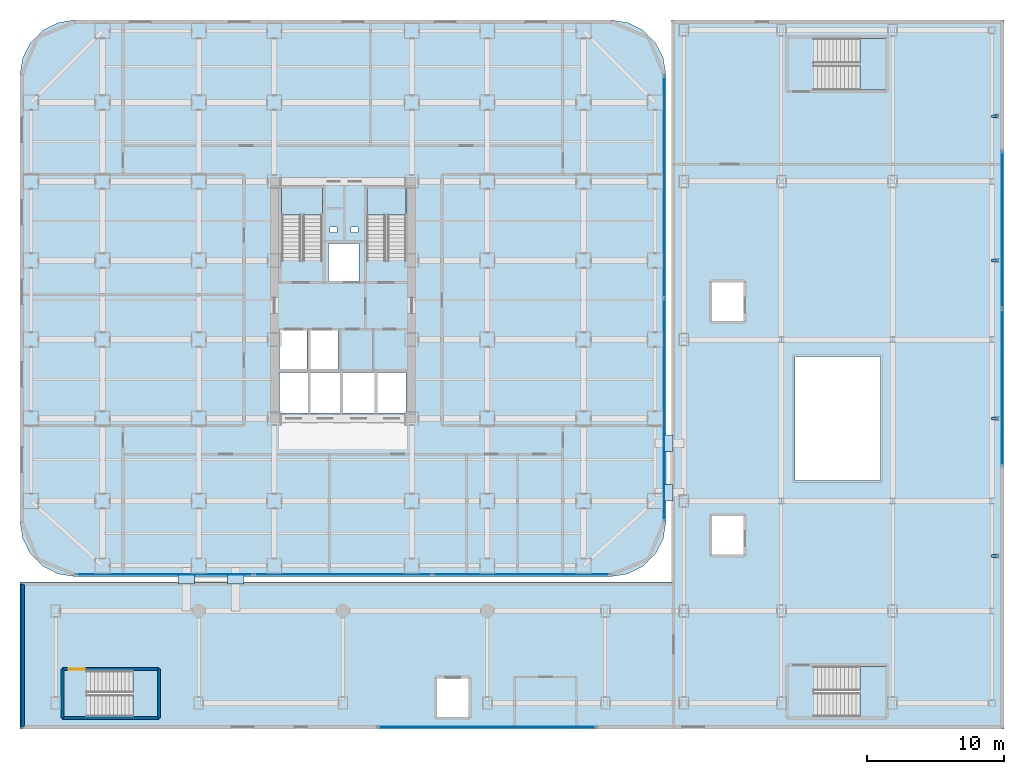
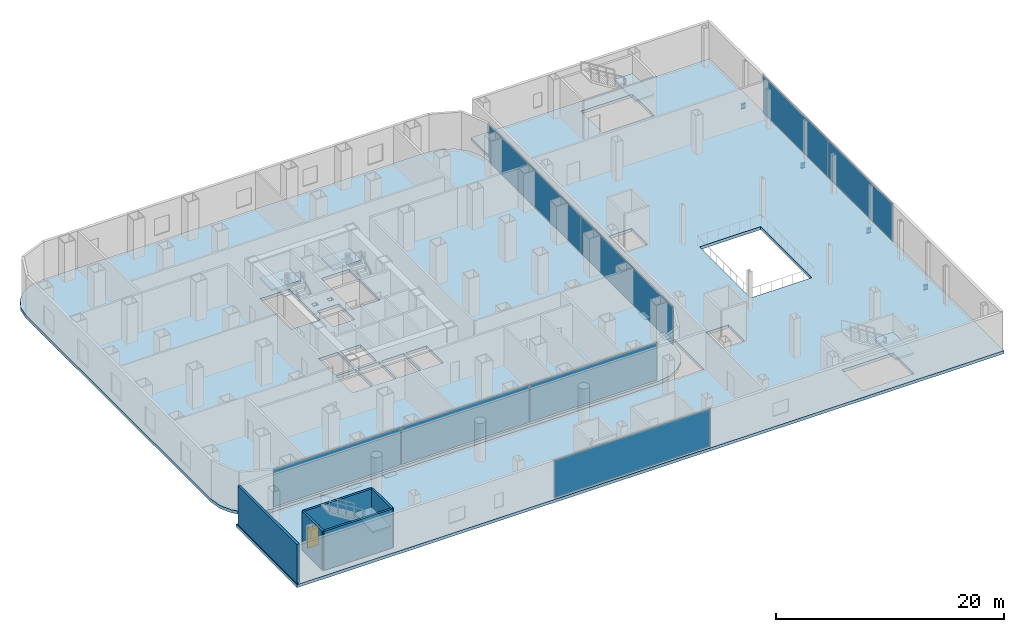
# One storey, part 18 of 26: 12 plates, 7 slabs, 5 walls, 4 beams, 1 door, 1 opening, 9 elements without a shape of their own.
"""IFC4 building model written with IfcOpenShell, lengths in metres."""

from ifc_helpers import new_model, si_unit, direction, frame, frame_2d, origin, origin_2d, place, context, subcontext, project, spatial, polyline, rectangle, i_section, outline, extrude, source, transform, mapped, material, layer, layer_set, material_profile, profile_set, type_object, element, fill, aggregate, save


model = new_model("IFC4")

# Units and contexts
model_context = context("Model", 3, precision=1e-05, world=origin(), true_north=direction((0.0, 1.0)))
body_context = subcontext(model_context, "Body", "Model", "MODEL_VIEW")
ifc_project = project(units=[si_unit("LENGTHUNIT", "METRE"), si_unit("AREAUNIT", "SQUARE_METRE"), si_unit("VOLUMEUNIT", "CUBIC_METRE"), si_unit("PLANEANGLEUNIT", "RADIAN"), si_unit("MASSUNIT", "GRAM", prefix="KILO")], contexts=[model_context])

# Site, building, storey
site_placement = place(None, origin())
site = spatial("IfcSite", under=ifc_project, at=site_placement, CompositionType="ELEMENT")
building_placement = place(site_placement, origin())
building = spatial("IfcBuilding", under=site, at=building_placement, Name="Kolveth Station Tower", CompositionType="ELEMENT")
storey_placement = place(building_placement, frame((0.0, 0.0, 9.0)))
storey = spatial("IfcBuildingStorey", under=building, at=storey_placement, Name="L02", CompositionType="ELEMENT", Elevation=9.0)

# Beams
ifc_material_1 = material(Name="Steel S355", Category="steel")
ifc_material_profile = material_profile(ifc_material_1, i_section(OverallWidth=0.2099609375, OverallDepth=0.537109375, WebThickness=0.010986328125, FlangeThickness=0.017333984375, at=origin_2d()), Name="W530x101")
ifc_profile_set = profile_set([ifc_material_profile], Name="Steel S355")
beam_type = type_object("IfcBeamType", Name="Beam_B6", PredefinedType="BEAM", material=ifc_profile_set)
shared_shape_1 = source(origin(), body_context, "Body", "SweptSolid", [
    extrude(i_section(OverallWidth=0.2099609375, OverallDepth=0.537109375, WebThickness=0.010986328125, FlangeThickness=0.017333984375, at=origin_2d()), origin(), (0.0, 0.0, 1.0), 0.449951171875),
])
for number, where, z_axis, x_axis, name in (
    (1, (70.699951171875, 1.5, -0.58837890625), (1.0, 0.0, 0.0), (0.0, 1.0, 0.0), "L02 Pilaster Tie Beam SBM-L02-SPL-1"),
    (2, (70.699951171875, 11.5, -0.58837890625), (1.0, 0.0, 0.0), (0.0, 1.0, 0.0), "L02 Pilaster Tie Beam SBM-L02-SPL-2"),
    (3, (70.699951171875, 23.0, -0.58837890625), (1.0, 0.0, 0.0), (0.0, 1.0, 0.0), "L02 Pilaster Tie Beam SBM-L02-SPL-3"),
    (4, (70.699951171875, 33.5, -0.58837890625), (1.0, 0.0, 0.0), (0.0, 1.0, 0.0), "L02 Pilaster Tie Beam SBM-L02-SPL-4"),
):
    element("IfcBeam", number, at=place(storey_placement, frame(where, z_axis=z_axis, x_axis=x_axis)), inside=storey, type_object=beam_type, Name=name, PredefinedType="BEAM", context=body_context, shape_type="MappedRepresentation", body=[
        mapped(shared_shape_1, transform((0.0, 0.0, 0.0), x_axis=(1.0, 0.0, 0.0), y_axis=(0.0, 1.0, 0.0), z_axis=(0.0, 0.0, 1.0), scale=1.0)),
    ])

# Slabs
ifc_material_2 = material(Name="Concrete C50/60", Category="concrete")
ifc_layer_1 = layer(ifc_material_2, 0.320068359375)
ifc_layer_set_1 = layer_set([ifc_layer_1], Name="Concrete C50/60")
slab_type_1 = type_object("IfcSlabType", Name="Slab_SF-320", PredefinedType="FLOOR", material=ifc_layer_set_1)
slab_1_placement = place(storey_placement, frame((0.0, 0.0, -0.320068359375)))
element("IfcSlab", 5, at=slab_1_placement, inside=storey, type_object=slab_type_1, Name="L02 Tower Structural Floor Slab", PredefinedType="FLOOR", context=body_context, shape_type="SweptSolid", body=[
    extrude(outline(polyline([(43.0, 0.0), (44.236083984375, 0.19580078125), (45.35107421875, 0.763916015625), (46.236083984375, 1.64892578125), (46.80419921875, 2.763916015625), (47.0, 4.0), (47.0, 36.5), (46.80419921875, 37.736083984375), (46.236083984375, 38.85107421875), (45.35107421875, 39.736083984375), (44.236083984375, 40.30419921875), (43.0, 40.5), (4.0, 40.5), (2.763916015625, 40.30419921875), (1.64892578125, 39.736083984375), (0.763916015625, 38.85107421875), (0.19580078125, 37.736083984375), (0.0, 36.5), (0.0, 4.0), (0.19580078125, 2.763916015625), (0.763916015625, 1.64892578125), (1.64892578125, 0.763916015625), (2.763916015625, 0.19580078125), (4.0, 0.0), (43.0, 0.0)]), holes=[polyline([(19.0400390625, 22.985107421875), (22.0, 22.985107421875), (22.0, 28.39990234375), (19.0400390625, 28.39990234375), (19.0400390625, 22.985107421875)]), polyline([(25.239990234375, 22.985107421875), (28.10009765625, 22.985107421875), (28.10009765625, 28.39990234375), (25.239990234375, 28.39990234375), (25.239990234375, 22.985107421875)]), polyline([(18.89990234375, 15.10009765625), (20.89990234375, 15.10009765625), (20.89990234375, 17.89990234375), (18.89990234375, 17.89990234375), (18.89990234375, 15.10009765625)]), polyline([(21.14990234375, 15.10009765625), (23.14990234375, 15.10009765625), (23.14990234375, 17.89990234375), (21.14990234375, 17.89990234375), (21.14990234375, 15.10009765625)]), polyline([(22.449951171875, 21.5), (24.64990234375, 21.5), (24.64990234375, 24.25), (22.449951171875, 24.25), (22.449951171875, 21.5)]), polyline([(18.89990234375, 11.89990234375), (20.949951171875, 11.89990234375), (20.949951171875, 14.85009765625), (18.89990234375, 14.85009765625), (18.89990234375, 11.89990234375)]), polyline([(21.14990234375, 11.89990234375), (23.300048828125, 11.89990234375), (23.300048828125, 14.85009765625), (21.14990234375, 14.85009765625), (21.14990234375, 11.89990234375)]), polyline([(23.5, 11.89990234375), (25.800048828125, 11.89990234375), (25.800048828125, 14.85009765625), (23.5, 14.85009765625), (23.5, 11.89990234375)]), polyline([(26.0, 11.89990234375), (28.10009765625, 11.89990234375), (28.10009765625, 14.85009765625), (26.0, 14.85009765625), (26.0, 11.89990234375)]), polyline([(22.550048828125, 25.050048828125), (23.050048828125, 25.050048828125), (23.050048828125, 25.449951171875), (22.550048828125, 25.449951171875), (22.550048828125, 25.050048828125)]), polyline([(24.10009765625, 25.050048828125), (24.60009765625, 25.050048828125), (24.60009765625, 25.449951171875), (24.10009765625, 25.449951171875), (24.10009765625, 25.050048828125)])]), origin(), (0.0, 0.0, 1.0), 0.320068359375),
])
slab_2_placement = place(storey_placement, frame((0.0, 0.0, -0.320068359375)))
element("IfcSlab", 6, at=slab_2_placement, inside=storey, type_object=slab_type_1, Name="L02 Intermodal Station Floor Slab", PredefinedType="FLOOR", context=body_context, shape_type="SweptSolid", body=[
    extrude(outline(polyline([(0.0, -11.10009765625), (71.60009765625, -11.10009765625), (71.60009765625, 40.5), (47.39990234375, 40.5), (47.39990234375, -0.39990234375), (0.0, -0.39990234375), (0.0, -11.10009765625)]), holes=[polyline([(57.784912109375, 35.39990234375), (63.0, 35.39990234375), (63.0, 39.159912109375), (57.784912109375, 39.159912109375), (57.784912109375, 35.39990234375)]), polyline([(57.784912109375, -10.199951171875), (63.0, -10.199951171875), (63.0, -6.5400390625), (57.784912109375, -6.5400390625), (57.784912109375, -10.199951171875)]), polyline([(4.885009765625, -10.199951171875), (10.0, -10.199951171875), (10.0, -6.840087890625), (4.885009765625, -6.840087890625), (4.885009765625, -10.199951171875)]), polyline([(50.35009765625, 1.60009765625), (52.64990234375, 1.60009765625), (52.64990234375, 4.39990234375), (50.35009765625, 4.39990234375), (50.35009765625, 1.60009765625)]), polyline([(50.35009765625, 18.60009765625), (52.64990234375, 18.60009765625), (52.64990234375, 21.39990234375), (50.35009765625, 21.39990234375), (50.35009765625, 18.60009765625)]), polyline([(30.35009765625, -10.199951171875), (32.64990234375, -10.199951171875), (32.64990234375, -7.39990234375), (30.35009765625, -7.39990234375), (30.35009765625, -10.199951171875)]), polyline([(56.39990234375, 7.0), (62.60009765625, 7.0), (62.60009765625, 16.0), (56.39990234375, 16.0), (56.39990234375, 7.0)])]), origin(), (0.0, 0.0, 1.0), 0.320068359375),
])

# Stair, slab
ifc_material_3 = material(Name="Concrete C40/50", Category="concrete")
stair_type_1 = type_object("IfcStairType", Name="Stair_ST2", PredefinedType="HALF_TURN_STAIR", material=ifc_material_3)
stair_1_placement = place(storey_placement, origin())
stair_1 = element("IfcStair", 7, at=stair_1_placement, inside=storey, type_object=stair_type_1, Name="L02 Tower Exit Stair ST2", PredefinedType="HALF_TURN_STAIR")
ifc_layer_2 = layer(ifc_material_3, 0.18994140625)
ifc_layer_set_2 = layer_set([ifc_layer_2], Name="Concrete C40/50")
slab_type_2 = type_object("IfcSlabType", Name="Slab_SL-190", PredefinedType="LANDING", material=ifc_layer_set_2)
slab_3_placement = place(storey_placement, frame((0.0, 0.0, 2.050048828125)))
slab_3 = element("IfcSlab", 8, at=slab_3_placement, type_object=slab_type_2, Name="ST2 landing 1", PredefinedType="LANDING", context=body_context, shape_type="SweptSolid", body=[
    extrude(outline(polyline([(28.10009765625, 26.31005859375), (28.10009765625, 28.39990234375), (25.239990234375, 28.39990234375), (25.239990234375, 26.31005859375), (28.10009765625, 26.31005859375)])), origin(), (0.0, 0.0, 1.0), 0.199951171875),
])
aggregate(stair_1, [slab_3])

stair_type_2 = type_object("IfcStairType", Name="Stair_ST5", PredefinedType="HALF_TURN_STAIR", material=ifc_material_3)
stair_2_placement = place(storey_placement, origin())
stair_2 = element("IfcStair", 9, at=stair_2_placement, inside=storey, type_object=stair_type_2, Name="L02 Station West Concourse Stair ST5", PredefinedType="HALF_TURN_STAIR")
slab_4_placement = place(storey_placement, frame((0.0, 0.0, 2.050048828125)))
slab_4 = element("IfcSlab", 10, at=slab_4_placement, type_object=slab_type_2, Name="ST5 landing 1", PredefinedType="LANDING", context=body_context, shape_type="SweptSolid", body=[
    extrude(outline(polyline([(8.2099609375, -10.199951171875), (10.0, -10.199951171875), (10.0, -6.840087890625), (8.2099609375, -6.840087890625), (8.2099609375, -10.199951171875)])), origin(), (0.0, 0.0, 1.0), 0.199951171875),
])
aggregate(stair_2, [slab_4])

stair_type_3 = type_object("IfcStairType", Name="Stair_ST1", PredefinedType="HALF_TURN_STAIR", material=ifc_material_3)
stair_3_placement = place(storey_placement, origin())
stair_3 = element("IfcStair", 11, at=stair_3_placement, inside=storey, type_object=stair_type_3, Name="L02 Tower Exit Stair ST1", PredefinedType="HALF_TURN_STAIR")
ifc_layer_3 = layer(ifc_material_3, 0.205078125)
ifc_layer_set_3 = layer_set([ifc_layer_3], Name="Concrete C40/50")
slab_type_3 = type_object("IfcSlabType", Name="Slab_SL-205", PredefinedType="LANDING", material=ifc_layer_set_3)
slab_5_placement = place(storey_placement, frame((0.0, 0.0, 2.050048828125)))
slab_5 = element("IfcSlab", 12, at=slab_5_placement, type_object=slab_type_3, Name="ST1 landing 1", PredefinedType="LANDING", context=body_context, shape_type="SweptSolid", body=[
    extrude(outline(polyline([(22.0, 26.31005859375), (22.0, 28.39990234375), (19.0400390625, 28.39990234375), (19.0400390625, 26.31005859375), (22.0, 26.31005859375)])), origin(), (0.0, 0.0, 1.0), 0.199951171875),
])
aggregate(stair_3, [slab_5])

stair_type_4 = type_object("IfcStairType", Name="Stair_ST3", PredefinedType="HALF_TURN_STAIR", material=ifc_material_3)
stair_4_placement = place(storey_placement, origin())
stair_4 = element("IfcStair", 13, at=stair_4_placement, inside=storey, type_object=stair_type_4, Name="L02 Station North Exit Stair ST3", PredefinedType="HALF_TURN_STAIR")
slab_6_placement = place(storey_placement, frame((0.0, 0.0, 2.050048828125)))
slab_6 = element("IfcSlab", 14, at=slab_6_placement, type_object=slab_type_3, Name="ST3 landing 1", PredefinedType="LANDING", context=body_context, shape_type="SweptSolid", body=[
    extrude(outline(polyline([(61.110107421875, 35.39990234375), (63.0, 35.39990234375), (63.0, 39.159912109375), (61.110107421875, 39.159912109375), (61.110107421875, 35.39990234375)])), origin(), (0.0, 0.0, 1.0), 0.199951171875),
])
aggregate(stair_4, [slab_6])

stair_type_5 = type_object("IfcStairType", Name="Stair_ST4", PredefinedType="HALF_TURN_STAIR", material=ifc_material_3)
stair_5_placement = place(storey_placement, origin())
stair_5 = element("IfcStair", 15, at=stair_5_placement, inside=storey, type_object=stair_type_5, Name="L02 Station South-East Exit Stair ST4", PredefinedType="HALF_TURN_STAIR")
slab_7_placement = place(storey_placement, frame((0.0, 0.0, 2.050048828125)))
slab_7 = element("IfcSlab", 16, at=slab_7_placement, type_object=slab_type_3, Name="ST4 landing 1", PredefinedType="LANDING", context=body_context, shape_type="SweptSolid", body=[
    extrude(outline(polyline([(61.110107421875, -10.199951171875), (63.0, -10.199951171875), (63.0, -6.5400390625), (61.110107421875, -6.5400390625), (61.110107421875, -10.199951171875)])), origin(), (0.0, 0.0, 1.0), 0.199951171875),
])
aggregate(stair_5, [slab_7])

# Plates
ifc_layer_4 = layer(ifc_material_1, 0.02001953125)
ifc_layer_set_4 = layer_set([ifc_layer_4], Name="Steel S355")
plate_type_1 = type_object("IfcPlateType", Name="Plate_JP1", PredefinedType="USERDEFINED", material=ifc_layer_set_4)
shared_shape_2 = source(origin(), body_context, "Body", "SweptSolid", [
    extrude(rectangle(XDim=1.199951171875, YDim=0.64990234375, at=origin_2d()), origin(), (0.0, 0.0, 1.0), 0.02001953125),
])
for number, where, z_axis, x_axis, name in (
    (17, (12.10009765625, -0.199951171875, -0.324951171875), (0.0, 0.0, 1.0), (1.0, 0.0, 0.0), "L02 Seismic Joint Flush Cover Plate 1.1"),
    (18, (15.699951171875, -0.199951171875, -0.324951171875), (0.0, 0.0, 1.0), (1.0, 0.0, 0.0), "L02 Seismic Joint Flush Cover Plate 1.2"),
    (19, (47.199951171875, 6.10009765625, -0.324951171875), (0.0, 0.0, 1.0), (0.0, 1.0, 0.0), "L02 Seismic Joint Flush Cover Plate 2.1"),
    (20, (47.199951171875, 9.699951171875, -0.324951171875), (0.0, 0.0, 1.0), (0.0, 1.0, 0.0), "L02 Seismic Joint Flush Cover Plate 2.2"),
):
    element("IfcPlate", number, at=place(storey_placement, frame(where, z_axis=z_axis, x_axis=x_axis)), inside=storey, type_object=plate_type_1, Name=name, ObjectType="BASE_PLATE", PredefinedType="USERDEFINED", context=body_context, shape_type="MappedRepresentation", body=[
        mapped(shared_shape_2, transform((0.0, 0.0, 0.0), x_axis=(1.0, 0.0, 0.0), y_axis=(0.0, 1.0, 0.0), z_axis=(0.0, 0.0, 1.0), scale=1.0)),
    ])

# Curtain wall, plates
ifc_material_4 = material(Name="Black anodized aluminium 6063-T6 and clear station glass", Category="aluminium")
ifc_layer_5 = layer(ifc_material_4, 0.239990234375)
ifc_layer_set_5 = layer_set([ifc_layer_5], Name="Black anodized aluminium 6063-T6 and clear station glass")
curtain_wall_type = type_object("IfcCurtainWallType", Name="CurtainWall_CW-ST", PredefinedType="NOTDEFINED", material=ifc_layer_set_5)
curtain_wall_1_placement = place(storey_placement, origin())
curtain_wall_1 = element("IfcCurtainWall", 21, at=curtain_wall_1_placement, inside=storey, type_object=curtain_wall_type, Name="L02 Tower Podium South Storefront Curtain Wall", PredefinedType="NOTDEFINED")
ifc_material_5 = material(Name="Architectural low-E dark glass", Category="glass")
ifc_layer_6 = layer(ifc_material_5, 0.031982421875)
ifc_layer_set_6 = layer_set([ifc_layer_6], Name="Architectural low-E dark glass")
plate_type_2 = type_object("IfcPlateType", Name="Panel_GL-ST", PredefinedType="CURTAIN_PANEL", material=ifc_layer_set_6)
shared_shape_3 = source(origin(), body_context, "Body", "SweptSolid", [
    extrude(rectangle(XDim=12.864013671875, YDim=0.031982421875, at=origin_2d()), origin(), (0.0, 0.0, 1.0), 4.00390625),
])
plate_1_placement = place(storey_placement, frame((10.52490234375, 0.139892578125, 0.088134765625), z_axis=(0.0, 0.0, 1.0), x_axis=(1.0, 0.0, 0.0)))
plate_1 = element("IfcPlate", 22, at=plate_1_placement, type_object=plate_type_2, Name="CW-ST panel 1.1", PredefinedType="CURTAIN_PANEL", context=body_context, shape_type="MappedRepresentation", body=[
    mapped(shared_shape_3, transform((0.0, 0.0, 0.0), x_axis=(1.0, 0.0, 0.0), y_axis=(0.0, 1.0, 0.0), z_axis=(0.0, 0.0, 1.0), scale=1.0)),
])
plate_2_placement = place(storey_placement, frame((36.47509765625, 0.139892578125, 0.088134765625), z_axis=(0.0, 0.0, 1.0), x_axis=(1.0, 0.0, 0.0)))
plate_2 = element("IfcPlate", 23, at=plate_2_placement, type_object=plate_type_2, Name="CW-ST panel 3.1", PredefinedType="CURTAIN_PANEL", context=body_context, shape_type="MappedRepresentation", body=[
    mapped(shared_shape_3, transform((0.0, 0.0, 0.0), x_axis=(1.0, 0.0, 0.0), y_axis=(0.0, 1.0, 0.0), z_axis=(0.0, 0.0, 1.0), scale=1.0)),
])
shared_shape_4 = source(origin(), body_context, "Body", "SweptSolid", [
    extrude(rectangle(XDim=12.9140625, YDim=0.031982421875, at=origin_2d()), origin(), (0.0, 0.0, 1.0), 4.00390625),
])
plate_3_placement = place(storey_placement, frame((23.5, 0.139892578125, 0.088134765625), z_axis=(0.0, 0.0, 1.0), x_axis=(1.0, 0.0, 0.0)))
plate_3 = element("IfcPlate", 24, at=plate_3_placement, type_object=plate_type_2, Name="CW-ST panel 2.1", PredefinedType="CURTAIN_PANEL", context=body_context, shape_type="MappedRepresentation", body=[
    mapped(shared_shape_4, transform((0.0, 0.0, 0.0), x_axis=(1.0, 0.0, 0.0), y_axis=(0.0, 1.0, 0.0), z_axis=(0.0, 0.0, 1.0), scale=1.0)),
])
aggregate(curtain_wall_1, [plate_1, plate_3, plate_2])

curtain_wall_2_placement = place(storey_placement, origin())
curtain_wall_2 = element("IfcCurtainWall", 25, at=curtain_wall_2_placement, inside=storey, type_object=curtain_wall_type, Name="L02 Tower Podium East Storefront Curtain Wall", PredefinedType="NOTDEFINED")
shared_shape_5 = source(origin(), body_context, "Body", "SweptSolid", [
    extrude(rectangle(XDim=16.114013671875, YDim=0.031982421875, at=origin_2d()), origin(), (0.0, 0.0, 1.0), 4.00390625),
])
plate_4_placement = place(storey_placement, frame((46.860107421875, 12.14990234375, 0.088134765625), z_axis=(0.0, 0.0, 1.0), x_axis=(0.0, 1.0, 0.0)))
plate_4 = element("IfcPlate", 26, at=plate_4_placement, type_object=plate_type_2, Name="CW-ST panel 1.1", PredefinedType="CURTAIN_PANEL", context=body_context, shape_type="MappedRepresentation", body=[
    mapped(shared_shape_5, transform((0.0, 0.0, 0.0), x_axis=(1.0, 0.0, 0.0), y_axis=(0.0, 1.0, 0.0), z_axis=(0.0, 0.0, 1.0), scale=1.0)),
])
plate_5_placement = place(storey_placement, frame((46.860107421875, 28.35009765625, 0.088134765625), z_axis=(0.0, 0.0, 1.0), x_axis=(0.0, 1.0, 0.0)))
plate_5 = element("IfcPlate", 27, at=plate_5_placement, type_object=plate_type_2, Name="CW-ST panel 2.1", PredefinedType="CURTAIN_PANEL", context=body_context, shape_type="MappedRepresentation", body=[
    mapped(shared_shape_5, transform((0.0, 0.0, 0.0), x_axis=(1.0, 0.0, 0.0), y_axis=(0.0, 1.0, 0.0), z_axis=(0.0, 0.0, 1.0), scale=1.0)),
])
aggregate(curtain_wall_2, [plate_4, plate_5])

# Curtain wall, plate
curtain_wall_3_placement = place(storey_placement, origin())
curtain_wall_3 = element("IfcCurtainWall", 28, at=curtain_wall_3_placement, inside=storey, type_object=curtain_wall_type, Name="L02 Station South Concourse Curtain Wall", PredefinedType="NOTDEFINED")
shared_shape_6 = source(origin(), body_context, "Body", "SweptSolid", [
    extrude(rectangle(XDim=15.81396484375, YDim=0.031982421875, at=origin_2d()), origin(), (0.0, 0.0, 1.0), 4.00390625),
])
plate_6_placement = place(storey_placement, frame((34.0, -10.949951171875, 0.088134765625), z_axis=(0.0, 0.0, 1.0), x_axis=(1.0, 0.0, 0.0)))
plate_6 = element("IfcPlate", 29, at=plate_6_placement, type_object=plate_type_2, Name="CW-ST panel 1.1", PredefinedType="CURTAIN_PANEL", context=body_context, shape_type="MappedRepresentation", body=[
    mapped(shared_shape_6, transform((0.0, 0.0, 0.0), x_axis=(1.0, 0.0, 0.0), y_axis=(0.0, 1.0, 0.0), z_axis=(0.0, 0.0, 1.0), scale=1.0)),
])
aggregate(curtain_wall_3, [plate_6])

# Curtain wall, plates
curtain_wall_4_placement = place(storey_placement, origin())
curtain_wall_4 = element("IfcCurtainWall", 30, at=curtain_wall_4_placement, inside=storey, type_object=curtain_wall_type, Name="L02 Station East Main Hall Curtain Wall", PredefinedType="NOTDEFINED")
shared_shape_7 = source(origin(), body_context, "Body", "SweptSolid", [
    extrude(rectangle(XDim=11.364013671875, YDim=0.031982421875, at=origin_2d()), origin(), (0.0, 0.0, 1.0), 4.00390625),
])
plate_7_placement = place(storey_placement, frame((71.449951171875, 13.77490234375, 0.088134765625), z_axis=(0.0, 0.0, 1.0), x_axis=(0.0, 1.0, 0.0)))
plate_7 = element("IfcPlate", 31, at=plate_7_placement, type_object=plate_type_2, Name="CW-ST panel 1.1", PredefinedType="CURTAIN_PANEL", context=body_context, shape_type="MappedRepresentation", body=[
    mapped(shared_shape_7, transform((0.0, 0.0, 0.0), x_axis=(1.0, 0.0, 0.0), y_axis=(0.0, 1.0, 0.0), z_axis=(0.0, 0.0, 1.0), scale=1.0)),
])
plate_8_placement = place(storey_placement, frame((71.449951171875, 25.22509765625, 0.088134765625), z_axis=(0.0, 0.0, 1.0), x_axis=(0.0, 1.0, 0.0)))
plate_8 = element("IfcPlate", 32, at=plate_8_placement, type_object=plate_type_2, Name="CW-ST panel 2.1", PredefinedType="CURTAIN_PANEL", context=body_context, shape_type="MappedRepresentation", body=[
    mapped(shared_shape_7, transform((0.0, 0.0, 0.0), x_axis=(1.0, 0.0, 0.0), y_axis=(0.0, 1.0, 0.0), z_axis=(0.0, 0.0, 1.0), scale=1.0)),
])
aggregate(curtain_wall_4, [plate_7, plate_8])

# Walls
ifc_material_6 = material(Name="Precast concrete C40/50", Category="concrete")
ifc_layer_7 = layer(ifc_material_6, 0.239990234375)
ifc_layer_set_7 = layer_set([ifc_layer_7], Name="Precast concrete C40/50")
wall_type_1 = type_object("IfcWallType", Name="Wall_EW-240", PredefinedType="SOLIDWALL", material=ifc_layer_set_7)
wall_1_placement = place(storey_placement, frame((0.199951171875, -10.949951171875, 0.0), z_axis=(0.0, 0.0, 1.0), x_axis=(0.0, 1.0, 0.0)))
element("IfcWall", 33, at=wall_1_placement, inside=storey, type_object=wall_type_1, Name="L02 Station Exterior Wall W1", PredefinedType="SOLIDWALL", context=body_context, shape_type="SweptSolid", body=[
    extrude(rectangle(XDim=10.409912109375, YDim=0.239990234375, at=frame_2d((5.205078125, 0.0))), origin(), (0.0, 0.0, 1.0), 4.179931640625),
])
ifc_layer_8 = layer(ifc_material_3, 0.219970703125)
ifc_layer_set_8 = layer_set([ifc_layer_8], Name="Concrete C40/50")
wall_type_2 = type_object("IfcWallType", Name="Wall_IW-220", PredefinedType="SOLIDWALL", material=ifc_layer_set_8)
wall_2_placement = place(storey_placement, frame((3.10009765625, -10.300048828125, 0.0), z_axis=(0.0, 0.0, 1.0), x_axis=(1.0, 0.0, 0.0)))
element("IfcWall", 34, at=wall_2_placement, inside=storey, type_object=wall_type_2, Name="L02 Stair Shaft Wall WL-L02-ST5-S", PredefinedType="SOLIDWALL", context=body_context, shape_type="SweptSolid", body=[
    extrude(rectangle(XDim=7.0, YDim=0.219970703125, at=frame_2d((3.5, 0.0))), origin(), (0.0, 0.0, 1.0), 4.179931640625),
])

# Wall, opening, door
wall_3_placement = place(storey_placement, frame((3.10009765625, -6.739990234375, 0.0), z_axis=(0.0, 0.0, 1.0), x_axis=(1.0, 0.0, 0.0)))
wall_3 = element("IfcWall", 35, at=wall_3_placement, inside=storey, type_object=wall_type_2, Name="L02 Stair Shaft Wall WL-L02-ST5-N", PredefinedType="SOLIDWALL", context=body_context, shape_type="SweptSolid", body=[
    extrude(rectangle(XDim=7.0, YDim=0.219970703125, at=frame_2d((3.5, 0.0))), origin(), (0.0, 0.0, 1.0), 4.179931640625),
])
opening_placement = place(wall_3_placement, frame((0.449951171875, 0.0, 0.0)))
opening = element("IfcOpeningElement", 36, at=opening_placement, cuts=wall_3, Name="Opening FD1", PredefinedType="OPENING", context=body_context, shape_type="SweptSolid", body=[
    extrude(rectangle(XDim=1.14990234375, YDim=2.199951171875, at=frame_2d((0.574951171875, 1.10009765625))), frame((0.0, 0.119873046875, 0.0), z_axis=(0.0, -1.0, 0.0), x_axis=(1.0, 0.0, 0.0)), (0.0, 0.0, 1.0), 0.239990234375),
])
ifc_material_7 = material(Name="Fire-rated Steel S355 leaf and frame", Category="steel")
door_type = type_object("IfcDoorType", Name="Door_FD1", OperationType="NOTDEFINED", PredefinedType="DOOR", material=ifc_material_7)
door_placement = place(opening_placement, origin())
door = element("IfcDoor", 37, at=door_placement, inside=storey, type_object=door_type, Name="L02 Station Stair ST5 Door", OperationType="SINGLE_SWING_LEFT", OverallHeight=2.199951171875, OverallWidth=1.14990234375, PredefinedType="DOOR", context=body_context, shape_type="SweptSolid", body=[
    extrude(rectangle(XDim=1.14990234375, YDim=2.199951171875, at=frame_2d((0.574951171875, 1.10009765625))), frame((0.0, 0.02490234375, 0.0), z_axis=(0.0, -1.0, 0.0), x_axis=(1.0, 0.0, 0.0)), (0.0, 0.0, 1.0), 0.050048828125),
])
fill(opening, door)

# Walls
for number, where, z_axis, x_axis, name in (
    (38, (3.10009765625, -10.300048828125, 0.0), (0.0, 0.0, 1.0), (0.0, 1.0, 0.0), "L02 Stair Shaft Wall WL-L02-ST5-W"),
    (39, (10.10009765625, -10.300048828125, 0.0), (0.0, 0.0, 1.0), (0.0, 1.0, 0.0), "L02 Stair Shaft Wall WL-L02-ST5-E"),
):
    element("IfcWall", number, at=place(storey_placement, frame(where, z_axis=z_axis, x_axis=x_axis)), inside=storey, type_object=wall_type_2, Name=name, PredefinedType="SOLIDWALL", context=body_context, shape_type="SweptSolid", body=[
        extrude(rectangle(XDim=3.56005859375, YDim=0.219970703125, at=frame_2d((1.780029296875, 0.0))), origin(), (0.0, 0.0, 1.0), 4.179931640625),
    ])

save(model, "model.ifc")
